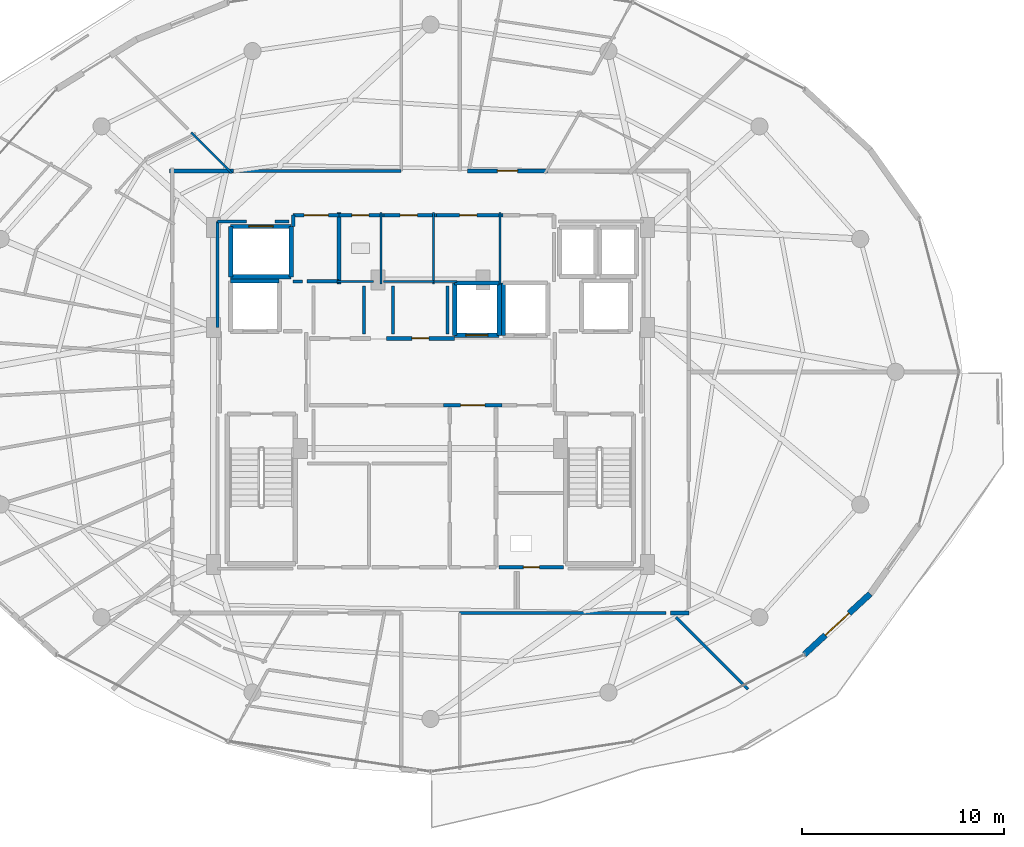
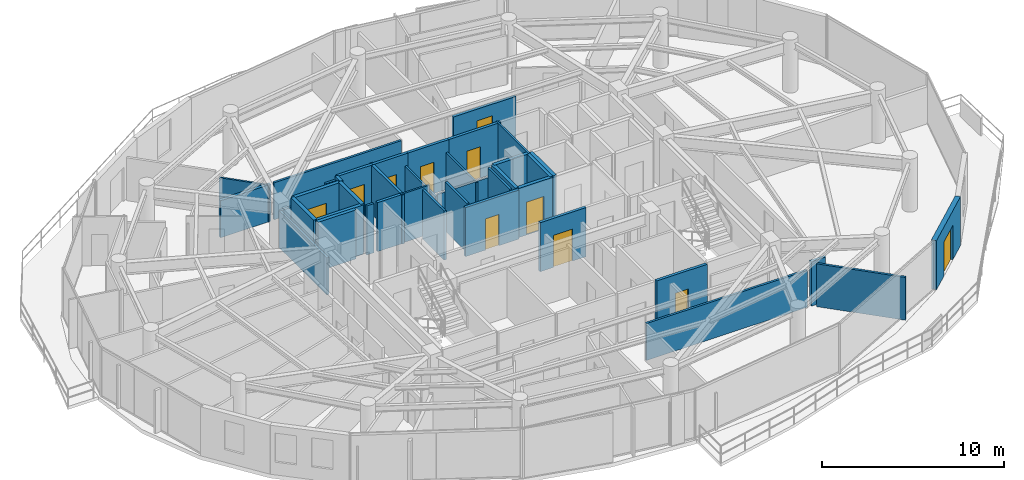
# One storey, part 23 of 29: 41 walls, 11 doors, 11 openings.
"""IFC4 building model written with IfcOpenShell, lengths in metres."""

from ifc_helpers import new_model, si_unit, direction, frame, frame_2d, origin, place, context, subcontext, project, spatial, rectangle, extrude, material, layer, layer_set, type_object, element, fill, save


model = new_model("IFC4")

# Units and contexts
model_context = context("Model", 3, precision=1e-05, world=origin(), true_north=direction((0.0, 1.0)))
body_context = subcontext(model_context, "Body", "Model", "MODEL_VIEW")
ifc_project = project(units=[si_unit("LENGTHUNIT", "METRE"), si_unit("AREAUNIT", "SQUARE_METRE"), si_unit("VOLUMEUNIT", "CUBIC_METRE"), si_unit("PLANEANGLEUNIT", "RADIAN"), si_unit("MASSUNIT", "GRAM", prefix="KILO")], contexts=[model_context])

# Site, building, storey
site_placement = place(None, origin())
site = spatial("IfcSite", under=ifc_project, at=site_placement, CompositionType="ELEMENT")
building_placement = place(site_placement, origin())
building = spatial("IfcBuilding", under=site, at=building_placement, Name="Vorneva Point Tower", CompositionType="ELEMENT")
storey_placement = place(building_placement, frame((0.0, 0.0, 273.300048828125)))
storey = spatial("IfcBuildingStorey", under=building, at=storey_placement, Name="L74", CompositionType="ELEMENT", Elevation=273.300048828125)

# Wall
ifc_material_1 = material(Name="Concrete B60 (C50/60)", Category="concrete")
ifc_layer_1 = layer(ifc_material_1, 0.35009765625)
ifc_layer_set_1 = layer_set([ifc_layer_1], Name="Concrete B60 (C50/60)")
wall_type_1 = type_object("IfcWallType", Name="WL-CORE-350", PredefinedType="SHEAR", material=ifc_layer_set_1)
wall_1_placement = place(storey_placement, frame((30.5, 30.5, 0.0), z_axis=(0.0, 0.0, 1.0), x_axis=(-1.0, 0.0, 0.0)))
element("IfcWall", 1, at=wall_1_placement, inside=storey, type_object=wall_type_1, Name="L74 Lift FFL1 Shaft Wall +Y", PredefinedType="SHEAR", context=body_context, shape_type="SweptSolid", body=[
    extrude(rectangle(XDim=2.39990234375, YDim=0.219970703125, at=frame_2d((1.199951171875, 0.0))), origin(), (0.0, 0.0, 1.0), 3.2900390625),
])

# Wall, opening, door
ifc_material_2 = material(Name="Precast concrete B50 (C40/50)", Category="concrete")
ifc_layer_2 = layer(ifc_material_2, 0.300048828125)
ifc_layer_set_2 = layer_set([ifc_layer_2], Name="Precast concrete B50 (C40/50)")
wall_type_2 = type_object("IfcWallType", Name="WL-EXT-300", PredefinedType="STANDARD", material=ifc_layer_set_2)
wall_2_placement = place(storey_placement, frame((56.526123046875, 11.9921875, 0.0), z_axis=(0.0, 0.0, 1.0), x_axis=(0.735445373611, 0.677584018727, 0.0)))
wall_2 = element("IfcWall", 2, at=wall_2_placement, inside=storey, type_object=wall_type_2, Name="L74 Pale-Metal Facade Spandrel Wall 15.1", PredefinedType="STANDARD", context=body_context, shape_type="SweptSolid", body=[
    extrude(rectangle(XDim=4.430419921875, YDim=0.300048828125, at=frame_2d((2.21533203125, 0.0))), origin(), (0.0, 0.0, 1.0), 3.2900390625),
])
opening_1_placement = place(wall_2_placement, frame((1.415283203125, 0.0, 0.0)))
opening_1 = element("IfcOpeningElement", 3, at=opening_1_placement, cuts=wall_2, Name="Opening BD-01", PredefinedType="OPENING", context=body_context, shape_type="SweptSolid", body=[
    extrude(rectangle(XDim=1.60009765625, YDim=2.300048828125, at=frame_2d((0.800048828125, 1.14990234375))), frame((0.0, 0.1650390625, 0.0), z_axis=(0.0, -1.0, 0.0), x_axis=(1.0, 0.0, 0.0)), (0.0, 0.0, 1.0), 0.329833984375),
])
ifc_material_3 = material(Name="Pale anodised aluminium", Category="aluminium")
door_type_1 = type_object("IfcDoorType", Name="DR-BAL-1600", OperationType="SLIDING_TO_LEFT", PredefinedType="DOOR", material=ifc_material_3)
door_1_placement = place(opening_1_placement, origin())
door_1 = element("IfcDoor", 4, at=door_1_placement, inside=storey, type_object=door_type_1, Name="L74 Balcony Terrace Access Door 15", OperationType="SLIDING_TO_LEFT", OverallHeight=2.300048828125, OverallWidth=1.60009765625, PredefinedType="DOOR", context=body_context, shape_type="SweptSolid", body=[
    extrude(rectangle(XDim=1.60009765625, YDim=2.300048828125, at=frame_2d((0.800048828125, 1.14990234375))), frame((0.0, 0.02490234375, 0.0), z_axis=(0.0, -1.0, 0.0), x_axis=(1.0, 0.0, 0.0)), (0.0, 0.0, 1.0), 0.050048828125),
])
fill(opening_1, door_1)

# Walls
ifc_material_4 = material(Name="Fire-rated acoustic gypsum stud partition", Category="gypsum")
ifc_layer_3 = layer(ifc_material_4, 0.110107421875)
ifc_layer_set_3 = layer_set([ifc_layer_3], Name="Fire-rated acoustic gypsum stud partition")
wall_type_3 = type_object("IfcWallType", Name="WL-PART-110", PredefinedType="PARTITIONING", material=ifc_layer_set_3)
wall_3_placement = place(storey_placement, frame((35.550048828125, 30.340087890625, 0.0), z_axis=(0.0, 0.0, 1.0), x_axis=(0.0, 1.0, 0.0)))
element("IfcWall", 5, at=wall_3_placement, inside=storey, type_object=wall_type_3, Name="L74 Interior Partition 022", PredefinedType="PARTITIONING", context=body_context, shape_type="SweptSolid", body=[
    extrude(rectangle(XDim=3.559814453125, YDim=0.110107421875, at=frame_2d((1.77978515625, 0.0))), origin(), (0.0, 0.0, 1.0), 2.48193359375),
])
wall_4_placement = place(storey_placement, frame((33.360107421875, 30.47998046875, 0.0), z_axis=(0.0, 0.0, 1.0), x_axis=(1.0, 0.0, 0.0)))
element("IfcWall", 6, at=wall_4_placement, inside=storey, type_object=wall_type_3, Name="L74 Interior Partition 023", PredefinedType="PARTITIONING", context=body_context, shape_type="SweptSolid", body=[
    extrude(rectangle(XDim=1.809814453125, YDim=0.110107421875, at=frame_2d((0.90478515625, 0.0))), origin(), (0.0, 0.0, 1.0), 3.2900390625),
])
wall_5_placement = place(storey_placement, frame((38.14990234375, 30.340087890625, 0.0), z_axis=(0.0, 0.0, 1.0), x_axis=(0.0, 1.0, 0.0)))
element("IfcWall", 7, at=wall_5_placement, inside=storey, type_object=wall_type_3, Name="L74 Interior Partition 025", PredefinedType="PARTITIONING", context=body_context, shape_type="SweptSolid", body=[
    extrude(rectangle(XDim=3.559814453125, YDim=0.110107421875, at=frame_2d((1.77978515625, 0.0))), origin(), (0.0, 0.0, 1.0), 2.48193359375),
])
wall_6_placement = place(storey_placement, frame((35.679931640625, 30.47998046875, 0.0), z_axis=(0.0, 0.0, 1.0), x_axis=(1.0, 0.0, 0.0)))
element("IfcWall", 8, at=wall_6_placement, inside=storey, type_object=wall_type_3, Name="L74 Interior Partition 026", PredefinedType="PARTITIONING", context=body_context, shape_type="SweptSolid", body=[
    extrude(rectangle(XDim=2.594970703125, YDim=0.110107421875, at=frame_2d((1.29736328125, 0.0))), origin(), (0.0, 0.0, 1.0), 2.48193359375),
])
wall_7_placement = place(storey_placement, frame((41.449951171875, 30.340087890625, 0.0), z_axis=(0.0, 0.0, 1.0), x_axis=(0.0, 1.0, 0.0)))
element("IfcWall", 9, at=wall_7_placement, inside=storey, type_object=wall_type_3, Name="L74 Interior Partition 028", PredefinedType="PARTITIONING", context=body_context, shape_type="SweptSolid", body=[
    extrude(rectangle(XDim=3.559814453125, YDim=0.110107421875, at=frame_2d((1.77978515625, 0.0))), origin(), (0.0, 0.0, 1.0), 3.2900390625),
])
wall_8_placement = place(storey_placement, frame((38.1650390625, 30.47998046875, 0.0), z_axis=(0.0, 0.0, 1.0), x_axis=(1.0, 0.0, 0.0)))
element("IfcWall", 10, at=wall_8_placement, inside=storey, type_object=wall_type_3, Name="L74 Interior Partition 029", PredefinedType="PARTITIONING", context=body_context, shape_type="SweptSolid", body=[
    extrude(rectangle(XDim=1.155029296875, YDim=0.110107421875, at=frame_2d((0.57763671875, 0.0))), origin(), (0.0, 0.0, 1.0), 2.48193359375),
])
wall_9_placement = place(storey_placement, frame((26.14404296875, 37.85595703125, 0.0), z_axis=(0.0, 0.0, 1.0), x_axis=(0.707106781187, -0.707106781187, 0.0)))
element("IfcWall", 11, at=wall_9_placement, inside=storey, type_object=wall_type_3, Name="L74 Interior Partition 078", PredefinedType="PARTITIONING", context=body_context, shape_type="SweptSolid", body=[
    extrude(rectangle(XDim=2.83544921875, YDim=0.110107421875, at=frame_2d((1.417724609375, 0.0))), origin(), (0.0, 0.0, 1.0), 2.48193359375),
])
ifc_layer_4 = layer(ifc_material_4, 0.139892578125)
ifc_layer_set_4 = layer_set([ifc_layer_4], Name="Fire-rated acoustic gypsum stud partition")
wall_type_4 = type_object("IfcWallType", Name="WL-PART-140", PredefinedType="PARTITIONING", material=ifc_layer_set_4)
wall_10_placement = place(storey_placement, frame((31.199951171875, 30.47998046875, 0.0), z_axis=(0.0, 0.0, 1.0), x_axis=(1.0, 0.0, 0.0)))
element("IfcWall", 12, at=wall_10_placement, inside=storey, type_object=wall_type_4, Name="L74 Interior Closure Partition 111", PredefinedType="PARTITIONING", context=body_context, shape_type="SweptSolid", body=[
    extrude(rectangle(XDim=0.449951171875, YDim=0.139892578125, at=frame_2d((0.22509765625, 0.0))), origin(), (0.0, 0.0, 1.0), 3.2900390625),
])
for number, where, z_axis, x_axis, name in (
    (13, (34.699951171875, 27.8701171875, 0.0), (0.0, 0.0, 1.0), (0.0, 1.0, 0.0), "L74 Interior Closure Partition 114"),
    (14, (36.14990234375, 30.260009765625, 0.0), (0.0, 0.0, 1.0), (0.0, -1.0, 0.0), "L74 Interior Closure Partition 115"),
    (15, (38.85009765625, 27.8701171875, 0.0), (0.0, 0.0, 1.0), (0.0, 1.0, 0.0), "L74 Interior Closure Partition 116"),
):
    element("IfcWall", number, at=place(storey_placement, frame(where, z_axis=z_axis, x_axis=x_axis)), inside=storey, type_object=wall_type_4, Name=name, PredefinedType="PARTITIONING", context=body_context, shape_type="SweptSolid", body=[
        extrude(rectangle(XDim=2.389892578125, YDim=0.139892578125, at=frame_2d((1.19482421875, 0.0))), origin(), (0.0, 0.0, 1.0), 3.2900390625),
    ])
wall_11_placement = place(storey_placement, frame((36.550048828125, 35.949951171875, 0.0), z_axis=(0.0, 0.0, 1.0), x_axis=(-1.0, 0.0, 0.0)))
element("IfcWall", 16, at=wall_11_placement, inside=storey, type_object=wall_type_4, Name="L74 Interior Closure Partition 119", PredefinedType="PARTITIONING", context=body_context, shape_type="SweptSolid", body=[
    extrude(rectangle(XDim=8.080078125, YDim=0.139892578125, at=frame_2d((4.0400390625, 0.0))), origin(), (0.0, 0.0, 1.0), 2.48193359375),
])
wall_12_placement = place(storey_placement, frame((39.449951171875, 14.050048828125, 0.0), z_axis=(0.0, 0.0, 1.0), x_axis=(1.0, 0.0, 0.0)))
element("IfcWall", 17, at=wall_12_placement, inside=storey, type_object=wall_type_4, Name="L74 Interior Closure Partition 121", PredefinedType="PARTITIONING", context=body_context, shape_type="SweptSolid", body=[
    extrude(rectangle(XDim=10.219970703125, YDim=0.139892578125, at=frame_2d((5.10986328125, 0.0))), origin(), (0.0, 0.0, 1.0), 2.48193359375),
])
wall_13_placement = place(storey_placement, frame((30.97998046875, 33.449951171875, 0.0), z_axis=(0.0, 0.0, 1.0), x_axis=(-1.0, 0.0, 0.0)))
element("IfcWall", 18, at=wall_13_placement, inside=storey, type_object=wall_type_4, Name="L74 Interior Closure Partition 126", PredefinedType="PARTITIONING", context=body_context, shape_type="SweptSolid", body=[
    extrude(rectangle(XDim=0.674072265625, YDim=0.139892578125, at=frame_2d((0.3369140625, 0.0))), origin(), (0.0, 0.0, 1.0), 3.2900390625),
])
wall_14_placement = place(storey_placement, frame((28.89404296875, 33.449951171875, 0.0), z_axis=(0.0, 0.0, 1.0), x_axis=(-1.0, 0.0, 0.0)))
element("IfcWall", 19, at=wall_14_placement, inside=storey, type_object=wall_type_4, Name="L74 Interior Closure Partition 127", PredefinedType="PARTITIONING", context=body_context, shape_type="SweptSolid", body=[
    extrude(rectangle(XDim=1.444091796875, YDim=0.139892578125, at=frame_2d((0.72216796875, 0.0))), origin(), (0.0, 0.0, 1.0), 2.48193359375),
])
wall_15_placement = place(storey_placement, frame((27.449951171875, 33.449951171875, 0.0), z_axis=(0.0, 0.0, 1.0), x_axis=(0.0, -1.0, 0.0)))
element("IfcWall", 20, at=wall_15_placement, inside=storey, type_object=wall_type_4, Name="L74 Interior Closure Partition 128", PredefinedType="PARTITIONING", context=body_context, shape_type="SweptSolid", body=[
    extrude(rectangle(XDim=5.25390625, YDim=0.139892578125, at=frame_2d((2.626953125, 0.0))), origin(), (0.0, 0.0, 1.0), 2.48193359375),
])
wall_16_placement = place(storey_placement, frame((50.169921875, 13.830078125, 0.0), z_axis=(0.0, 0.0, 1.0), x_axis=(0.707106781187, -0.707106781187, 0.0)))
element("IfcWall", 21, at=wall_16_placement, inside=storey, type_object=wall_type_4, Name="L74 Interior Closure Partition 134", PredefinedType="PARTITIONING", context=body_context, shape_type="SweptSolid", body=[
    extrude(rectangle(XDim=5.044677734375, YDim=0.139892578125, at=frame_2d((2.5224609375, 0.0))), origin(), (0.0, 0.0, 1.0), 2.8740234375),
])
ifc_material_5 = material(Name="Autoclaved aerated concrete blockwork", Category="masonry")
ifc_layer_5 = layer(ifc_material_5, 0.179931640625)
ifc_layer_set_5 = layer_set([ifc_layer_5], Name="Autoclaved aerated concrete blockwork")
wall_type_5 = type_object("IfcWallType", Name="WL-PART-180", PredefinedType="PARTITIONING", material=ifc_layer_set_5)
wall_17_placement = place(storey_placement, frame((33.469970703125, 30.340087890625, 0.0), z_axis=(0.0, 0.0, 1.0), x_axis=(0.0, 1.0, 0.0)))
element("IfcWall", 22, at=wall_17_placement, inside=storey, type_object=wall_type_5, Name="L74 Interior Partition 006", PredefinedType="PARTITIONING", context=body_context, shape_type="SweptSolid", body=[
    extrude(rectangle(XDim=3.559814453125, YDim=0.179931640625, at=frame_2d((1.77978515625, 0.0))), origin(), (0.0, 0.0, 1.0), 3.2900390625),
])
wall_18_placement = place(storey_placement, frame((31.8701171875, 30.47998046875, 0.0), z_axis=(0.0, 0.0, 1.0), x_axis=(1.0, 0.0, 0.0)))
element("IfcWall", 23, at=wall_18_placement, inside=storey, type_object=wall_type_5, Name="L74 Interior Partition 007", PredefinedType="PARTITIONING", context=body_context, shape_type="SweptSolid", body=[
    extrude(rectangle(XDim=1.599853515625, YDim=0.179931640625, at=frame_2d((0.7998046875, 0.0))), origin(), (0.0, 0.0, 1.0), 3.2900390625),
])

# Wall, opening, door
wall_19_placement = place(storey_placement, frame((33.469970703125, 33.760009765625, 0.0), z_axis=(0.0, 0.0, 1.0), x_axis=(-1.0, 0.0, 0.0)))
wall_19 = element("IfcWall", 24, at=wall_19_placement, inside=storey, type_object=wall_type_5, Name="L74 Interior Partition 008", PredefinedType="PARTITIONING", context=body_context, shape_type="SweptSolid", body=[
    extrude(rectangle(XDim=2.27001953125, YDim=0.179931640625, at=frame_2d((1.135009765625, 0.0))), origin(), (0.0, 0.0, 1.0), 3.2900390625),
])
opening_2_placement = place(wall_19_placement, frame((0.534912109375, 0.0, 0.0)))
opening_2 = element("IfcOpeningElement", 25, at=opening_2_placement, cuts=wall_19, Name="Opening FD-02", PredefinedType="OPENING", context=body_context, shape_type="SweptSolid", body=[
    extrude(rectangle(XDim=1.199951171875, YDim=2.14990234375, at=frame_2d((0.60009765625, 1.074951171875))), frame((0.0, 0.10498046875, 0.0), z_axis=(0.0, -1.0, 0.0), x_axis=(1.0, 0.0, 0.0)), (0.0, 0.0, 1.0), 0.209716796875),
])
ifc_material_6 = material(Name="Fire-rated powder-coated steel", Category="steel")
door_type_2 = type_object("IfcDoorType", Name="DR-FFL-1200", OperationType="NOTDEFINED", PredefinedType="DOOR", material=ifc_material_6)
door_2_placement = place(opening_2_placement, origin())
door_2 = element("IfcDoor", 26, at=door_2_placement, inside=storey, type_object=door_type_2, Name="L74 Door Service Lift Lobby / L74 Circulation Corridor", OperationType="SINGLE_SWING_LEFT", OverallHeight=2.14990234375, OverallWidth=1.199951171875, PredefinedType="DOOR", context=body_context, shape_type="SweptSolid", body=[
    extrude(rectangle(XDim=1.199951171875, YDim=2.14990234375, at=frame_2d((0.60009765625, 1.074951171875))), frame((0.0, 0.02490234375, 0.0), z_axis=(0.0, -1.0, 0.0), x_axis=(1.0, 0.0, 0.0)), (0.0, 0.0, 1.0), 0.050048828125),
])
fill(opening_2, door_2)

# Wall
wall_20_placement = place(storey_placement, frame((31.199951171875, 33.760009765625, 0.0), z_axis=(0.0, 0.0, 1.0), x_axis=(0.0, -1.0, 0.0)))
element("IfcWall", 27, at=wall_20_placement, inside=storey, type_object=wall_type_5, Name="L74 Interior Partition 009", PredefinedType="PARTITIONING", context=body_context, shape_type="SweptSolid", body=[
    extrude(rectangle(XDim=0.56005859375, YDim=0.179931640625, at=frame_2d((0.280029296875, 0.0))), origin(), (0.0, 0.0, 1.0), 3.2900390625),
])

# Wall, opening, door
wall_21_placement = place(storey_placement, frame((38.64501953125, 24.35009765625, 0.0), z_axis=(0.0, 0.0, 1.0), x_axis=(1.0, 0.0, 0.0)))
wall_21 = element("IfcWall", 28, at=wall_21_placement, inside=storey, type_object=wall_type_5, Name="L74 Interior Partition 010", PredefinedType="PARTITIONING", context=body_context, shape_type="SweptSolid", body=[
    extrude(rectangle(XDim=2.909912109375, YDim=0.179931640625, at=frame_2d((1.455078125, 0.0))), origin(), (0.0, 0.0, 1.0), 3.2900390625),
])
opening_3_placement = place(wall_21_placement, frame((0.85498046875, 0.0, 0.0)))
opening_3 = element("IfcOpeningElement", 29, at=opening_3_placement, cuts=wall_21, Name="Opening FD-02", PredefinedType="OPENING", context=body_context, shape_type="SweptSolid", body=[
    extrude(rectangle(XDim=1.199951171875, YDim=2.14990234375, at=frame_2d((0.60009765625, 1.074951171875))), frame((0.0, 0.10498046875, 0.0), z_axis=(0.0, -1.0, 0.0), x_axis=(1.0, 0.0, 0.0)), (0.0, 0.0, 1.0), 0.209716796875),
])
door_3_placement = place(opening_3_placement, origin())
door_3 = element("IfcDoor", 30, at=door_3_placement, inside=storey, type_object=door_type_2, Name="L74 Door Central Lift Lobby / Core Service Lobby", OperationType="SINGLE_SWING_RIGHT", OverallHeight=2.14990234375, OverallWidth=1.199951171875, PredefinedType="DOOR", context=body_context, shape_type="SweptSolid", body=[
    extrude(rectangle(XDim=1.199951171875, YDim=2.14990234375, at=frame_2d((0.60009765625, 1.074951171875))), frame((0.0, 0.02490234375, 0.0), z_axis=(0.0, -1.0, 0.0), x_axis=(1.0, 0.0, 0.0)), (0.0, 0.0, 1.0), 0.050048828125),
])
fill(opening_3, door_3)

wall_22_placement = place(storey_placement, frame((39.18994140625, 27.64990234375, 0.0), z_axis=(0.0, 0.0, 1.0), x_axis=(-1.0, 0.0, 0.0)))
wall_22 = element("IfcWall", 31, at=wall_22_placement, inside=storey, type_object=wall_type_5, Name="L74 Interior Partition 013", PredefinedType="PARTITIONING", context=body_context, shape_type="SweptSolid", body=[
    extrude(rectangle(XDim=3.3798828125, YDim=0.179931640625, at=frame_2d((1.68994140625, 0.0))), origin(), (0.0, 0.0, 1.0), 3.2900390625),
])
opening_4_placement = place(wall_22_placement, frame((1.264892578125, 0.0, 0.0)))
opening_4 = element("IfcOpeningElement", 32, at=opening_4_placement, cuts=wall_22, Name="Opening ID-02", PredefinedType="OPENING", context=body_context, shape_type="SweptSolid", body=[
    extrude(rectangle(XDim=0.85009765625, YDim=2.10009765625, at=frame_2d((0.425048828125, 1.050048828125))), frame((0.0, 0.10498046875, 0.0), z_axis=(0.0, -1.0, 0.0), x_axis=(1.0, 0.0, 0.0)), (0.0, 0.0, 1.0), 0.209716796875),
])
ifc_material_7 = material(Name="Engineered oak fire-rated door leaf", Category="wood")
door_type_3 = type_object("IfcDoorType", Name="DR-BATH-850", OperationType="NOTDEFINED", PredefinedType="DOOR", material=ifc_material_7)
door_4_placement = place(opening_4_placement, origin())
door_4 = element("IfcDoor", 33, at=door_4_placement, inside=storey, type_object=door_type_3, Name="L74 Door Central Lift Lobby / Reclaimed Core Archive Store", OperationType="SINGLE_SWING_LEFT", OverallHeight=2.10009765625, OverallWidth=0.85009765625, PredefinedType="DOOR", context=body_context, shape_type="SweptSolid", body=[
    extrude(rectangle(XDim=0.85009765625, YDim=2.10009765625, at=frame_2d((0.425048828125, 1.050048828125))), frame((0.0, 0.02490234375, 0.0), z_axis=(0.0, -1.0, 0.0), x_axis=(1.0, 0.0, 0.0)), (0.0, 0.0, 1.0), 0.050048828125),
])
fill(opening_4, door_4)

wall_23_placement = place(storey_placement, frame((41.39990234375, 16.320068359375, 0.0), z_axis=(0.0, 0.0, 1.0), x_axis=(1.0, 0.0, 0.0)))
wall_23 = element("IfcWall", 34, at=wall_23_placement, inside=storey, type_object=wall_type_5, Name="L74 Interior Partition 021", PredefinedType="PARTITIONING", context=body_context, shape_type="SweptSolid", body=[
    extrude(rectangle(XDim=3.2001953125, YDim=0.179931640625, at=frame_2d((1.60009765625, 0.0))), origin(), (0.0, 0.0, 1.0), 3.2900390625),
])
opening_5_placement = place(wall_23_placement, frame((1.199951171875, 0.0, 0.0)))
opening_5 = element("IfcOpeningElement", 35, at=opening_5_placement, cuts=wall_23, Name="Opening RD-01", PredefinedType="OPENING", context=body_context, shape_type="SweptSolid", body=[
    extrude(rectangle(XDim=0.800048828125, YDim=2.050048828125, at=frame_2d((0.39990234375, 1.02490234375))), frame((0.0, 0.10498046875, 0.0), z_axis=(0.0, -1.0, 0.0), x_axis=(1.0, 0.0, 0.0)), (0.0, 0.0, 1.0), 0.209716796875),
])
door_type_4 = type_object("IfcDoorType", Name="DR-RSR-800", OperationType="SINGLE_SWING_LEFT", PredefinedType="DOOR", material=ifc_material_6)
door_5_placement = place(opening_5_placement, origin())
door_5 = element("IfcDoor", 36, at=door_5_placement, inside=storey, type_object=door_type_4, Name="L74 Door Electrical Riser / L74 Circulation Corridor", OperationType="SINGLE_SWING_RIGHT", OverallHeight=2.050048828125, OverallWidth=0.800048828125, PredefinedType="DOOR", context=body_context, shape_type="SweptSolid", body=[
    extrude(rectangle(XDim=0.800048828125, YDim=2.050048828125, at=frame_2d((0.39990234375, 1.02490234375))), frame((0.0, 0.02490234375, 0.0), z_axis=(0.0, -1.0, 0.0), x_axis=(1.0, 0.0, 0.0)), (0.0, 0.0, 1.0), 0.050048828125),
])
fill(opening_5, door_5)

wall_24_placement = place(storey_placement, frame((35.68994140625, 33.760009765625, 0.0), z_axis=(0.0, 0.0, 1.0), x_axis=(-1.0, 0.0, 0.0)))
wall_24 = element("IfcWall", 37, at=wall_24_placement, inside=storey, type_object=wall_type_5, Name="L74 Interior Partition 024", PredefinedType="PARTITIONING", context=body_context, shape_type="SweptSolid", body=[
    extrude(rectangle(XDim=2.329833984375, YDim=0.179931640625, at=frame_2d((1.1650390625, 0.0))), origin(), (0.0, 0.0, 1.0), 3.2900390625),
])
opening_6_placement = place(wall_24_placement, frame((0.739990234375, 0.0, 0.0)))
opening_6 = element("IfcOpeningElement", 38, at=opening_6_placement, cuts=wall_24, Name="Opening ID-02", PredefinedType="OPENING", context=body_context, shape_type="SweptSolid", body=[
    extrude(rectangle(XDim=0.85009765625, YDim=2.10009765625, at=frame_2d((0.425048828125, 1.050048828125))), frame((0.0, 0.10498046875, 0.0), z_axis=(0.0, -1.0, 0.0), x_axis=(1.0, 0.0, 0.0)), (0.0, 0.0, 1.0), 0.209716796875),
])
door_6_placement = place(opening_6_placement, origin())
door_6 = element("IfcDoor", 39, at=door_6_placement, inside=storey, type_object=door_type_3, Name="L74 Door Accessible WC / L74 Circulation Corridor", OperationType="SINGLE_SWING_LEFT", OverallHeight=2.10009765625, OverallWidth=0.85009765625, PredefinedType="DOOR", context=body_context, shape_type="SweptSolid", body=[
    extrude(rectangle(XDim=0.85009765625, YDim=2.10009765625, at=frame_2d((0.425048828125, 1.050048828125))), frame((0.0, 0.02490234375, 0.0), z_axis=(0.0, -1.0, 0.0), x_axis=(1.0, 0.0, 0.0)), (0.0, 0.0, 1.0), 0.050048828125),
])
fill(opening_6, door_6)

wall_25_placement = place(storey_placement, frame((38.2900390625, 33.760009765625, 0.0), z_axis=(0.0, 0.0, 1.0), x_axis=(-1.0, 0.0, 0.0)))
wall_25 = element("IfcWall", 40, at=wall_25_placement, inside=storey, type_object=wall_type_5, Name="L74 Interior Partition 027", PredefinedType="PARTITIONING", context=body_context, shape_type="SweptSolid", body=[
    extrude(rectangle(XDim=2.739990234375, YDim=0.179931640625, at=frame_2d((1.3701171875, 0.0))), origin(), (0.0, 0.0, 1.0), 3.2900390625),
])
opening_7_placement = place(wall_25_placement, frame((0.945068359375, 0.0, 0.0)))
opening_7 = element("IfcOpeningElement", 41, at=opening_7_placement, cuts=wall_25, Name="Opening ID-02", PredefinedType="OPENING", context=body_context, shape_type="SweptSolid", body=[
    extrude(rectangle(XDim=0.85009765625, YDim=2.10009765625, at=frame_2d((0.425048828125, 1.050048828125))), frame((0.0, 0.10498046875, 0.0), z_axis=(0.0, -1.0, 0.0), x_axis=(1.0, 0.0, 0.0)), (0.0, 0.0, 1.0), 0.209716796875),
])
door_7_placement = place(opening_7_placement, origin())
door_7 = element("IfcDoor", 42, at=door_7_placement, inside=storey, type_object=door_type_3, Name="L74 Door Public Male WC / L74 Circulation Corridor", OperationType="SINGLE_SWING_RIGHT", OverallHeight=2.10009765625, OverallWidth=0.85009765625, PredefinedType="DOOR", context=body_context, shape_type="SweptSolid", body=[
    extrude(rectangle(XDim=0.85009765625, YDim=2.10009765625, at=frame_2d((0.425048828125, 1.050048828125))), frame((0.0, 0.02490234375, 0.0), z_axis=(0.0, -1.0, 0.0), x_axis=(1.0, 0.0, 0.0)), (0.0, 0.0, 1.0), 0.050048828125),
])
fill(opening_7, door_7)

wall_26_placement = place(storey_placement, frame((41.590087890625, 33.760009765625, 0.0), z_axis=(0.0, 0.0, 1.0), x_axis=(-1.0, 0.0, 0.0)))
wall_26 = element("IfcWall", 43, at=wall_26_placement, inside=storey, type_object=wall_type_5, Name="L74 Interior Partition 030", PredefinedType="PARTITIONING", context=body_context, shape_type="SweptSolid", body=[
    extrude(rectangle(XDim=3.440185546875, YDim=0.179931640625, at=frame_2d((1.72021484375, 0.0))), origin(), (0.0, 0.0, 1.0), 3.2900390625),
])
opening_8_placement = place(wall_26_placement, frame((1.294921875, 0.0, 0.0)))
opening_8 = element("IfcOpeningElement", 44, at=opening_8_placement, cuts=wall_26, Name="Opening ID-02", PredefinedType="OPENING", context=body_context, shape_type="SweptSolid", body=[
    extrude(rectangle(XDim=0.85009765625, YDim=2.10009765625, at=frame_2d((0.425048828125, 1.050048828125))), frame((0.0, 0.10498046875, 0.0), z_axis=(0.0, -1.0, 0.0), x_axis=(1.0, 0.0, 0.0)), (0.0, 0.0, 1.0), 0.209716796875),
])
door_8_placement = place(opening_8_placement, origin())
door_8 = element("IfcDoor", 45, at=door_8_placement, inside=storey, type_object=door_type_3, Name="L74 Door Public Female WC / L74 Circulation Corridor", OperationType="SINGLE_SWING_LEFT", OverallHeight=2.10009765625, OverallWidth=0.85009765625, PredefinedType="DOOR", context=body_context, shape_type="SweptSolid", body=[
    extrude(rectangle(XDim=0.85009765625, YDim=2.10009765625, at=frame_2d((0.425048828125, 1.050048828125))), frame((0.0, 0.02490234375, 0.0), z_axis=(0.0, -1.0, 0.0), x_axis=(1.0, 0.0, 0.0)), (0.0, 0.0, 1.0), 0.050048828125),
])
fill(opening_8, door_8)

wall_27_placement = place(storey_placement, frame((43.802978515625, 35.949951171875, 0.0), z_axis=(0.0, 0.0, 1.0), x_axis=(-1.0, 0.0, 0.0)))
wall_27 = element("IfcWall", 46, at=wall_27_placement, inside=storey, type_object=wall_type_5, Name="L74 Interior Partition 038", PredefinedType="PARTITIONING", context=body_context, shape_type="SweptSolid", body=[
    extrude(rectangle(XDim=3.965087890625, YDim=0.179931640625, at=frame_2d((1.982421875, 0.0))), origin(), (0.0, 0.0, 1.0), 2.924072265625),
])
opening_9_placement = place(wall_27_placement, frame((1.482421875, 0.0, 0.0)))
opening_9 = element("IfcOpeningElement", 47, at=opening_9_placement, cuts=wall_27, Name="Opening UD-01", PredefinedType="OPENING", context=body_context, shape_type="SweptSolid", body=[
    extrude(rectangle(XDim=1.0, YDim=2.14990234375, at=frame_2d((0.5, 1.074951171875))), frame((0.0, 0.10498046875, 0.0), z_axis=(0.0, -1.0, 0.0), x_axis=(1.0, 0.0, 0.0)), (0.0, 0.0, 1.0), 0.209716796875),
])
door_type_5 = type_object("IfcDoorType", Name="DR-UNIT-1000", OperationType="NOTDEFINED", PredefinedType="DOOR", material=ifc_material_7)
door_9_placement = place(opening_9_placement, origin())
door_9 = element("IfcDoor", 48, at=door_9_placement, inside=storey, type_object=door_type_5, Name="L74 Door L74 Circulation Corridor / Living and Dining Room L74-01", OperationType="SINGLE_SWING_LEFT", OverallHeight=2.14990234375, OverallWidth=1.0, PredefinedType="DOOR", context=body_context, shape_type="SweptSolid", body=[
    extrude(rectangle(XDim=1.0, YDim=2.14990234375, at=frame_2d((0.5, 1.074951171875))), frame((0.0, 0.02490234375, 0.0), z_axis=(0.0, -1.0, 0.0), x_axis=(1.0, 0.0, 0.0)), (0.0, 0.0, 1.0), 0.050048828125),
])
fill(opening_9, door_9)

# Walls
wall_28_placement = place(storey_placement, frame((28.25, 35.949951171875, 0.0), z_axis=(0.0, 0.0, 1.0), x_axis=(-1.0, 0.0, 0.0)))
element("IfcWall", 49, at=wall_28_placement, inside=storey, type_object=wall_type_5, Name="L74 Interior Partition 043", PredefinedType="PARTITIONING", context=body_context, shape_type="SweptSolid", body=[
    extrude(rectangle(XDim=3.18994140625, YDim=0.179931640625, at=frame_2d((1.594970703125, 0.0))), origin(), (0.0, 0.0, 1.0), 2.48193359375),
])
wall_29_placement = place(storey_placement, frame((49.889892578125, 14.050048828125, 0.0), z_axis=(0.0, 0.0, 1.0), x_axis=(1.0, 0.0, 0.0)))
element("IfcWall", 50, at=wall_29_placement, inside=storey, type_object=wall_type_5, Name="L74 Interior Partition 059", PredefinedType="PARTITIONING", context=body_context, shape_type="SweptSolid", body=[
    extrude(rectangle(XDim=0.91015625, YDim=0.179931640625, at=frame_2d((0.455078125, 0.0))), origin(), (0.0, 0.0, 1.0), 2.97900390625),
])

# Wall, opening, door
ifc_material_8 = material(Name="Concrete B50 (C40/50)", Category="concrete")
ifc_layer_6 = layer(ifc_material_8, 0.219970703125)
ifc_layer_set_6 = layer_set([ifc_layer_6], Name="Concrete B50 (C40/50)")
wall_type_6 = type_object("IfcWallType", Name="WL-SHFT-220", PredefinedType="SOLIDWALL", material=ifc_layer_set_6)
wall_30_placement = place(storey_placement, frame((39.199951171875, 27.800048828125, 0.0), z_axis=(0.0, 0.0, 1.0), x_axis=(1.0, 0.0, 0.0)))
wall_30 = element("IfcWall", 51, at=wall_30_placement, inside=storey, type_object=wall_type_6, Name="L74 Lift PL7 Shaft Wall -Y", PredefinedType="SOLIDWALL", context=body_context, shape_type="SweptSolid", body=[
    extrude(rectangle(XDim=2.199951171875, YDim=0.219970703125, at=frame_2d((1.10009765625, 0.0))), origin(), (0.0, 0.0, 1.0), 3.2900390625),
])
opening_10_placement = place(wall_30_placement, frame((0.550048828125, 0.0, 0.0)))
opening_10 = element("IfcOpeningElement", 52, at=opening_10_placement, cuts=wall_30, Name="Opening LD-01", PredefinedType="OPENING", context=body_context, shape_type="SweptSolid", body=[
    extrude(rectangle(XDim=1.10009765625, YDim=2.199951171875, at=frame_2d((0.550048828125, 1.10009765625))), frame((0.0, 0.125, 0.0), z_axis=(0.0, -1.0, 0.0), x_axis=(1.0, 0.0, 0.0)), (0.0, 0.0, 1.0), 0.249755859375),
])
ifc_material_9 = material(Name="Brushed stainless steel S304", Category="steel")
door_type_6 = type_object("IfcDoorType", Name="LD-PASS-1100", OperationType="SLIDING_TO_LEFT", PredefinedType="DOOR", material=ifc_material_9)
door_10_placement = place(opening_10_placement, origin())
door_10 = element("IfcDoor", 53, at=door_10_placement, inside=storey, type_object=door_type_6, Name="L74 Lift PL7 Sliding Landing Door", OperationType="SLIDING_TO_LEFT", OverallHeight=2.199951171875, OverallWidth=1.10009765625, PredefinedType="DOOR", context=body_context, shape_type="SweptSolid", body=[
    extrude(rectangle(XDim=1.10009765625, YDim=2.199951171875, at=frame_2d((0.550048828125, 1.10009765625))), frame((0.0, 0.02490234375, 0.0), z_axis=(0.0, -1.0, 0.0), x_axis=(1.0, 0.0, 0.0)), (0.0, 0.0, 1.0), 0.050048828125),
])
fill(opening_10, door_10)

# Walls
wall_31_placement = place(storey_placement, frame((41.39990234375, 27.800048828125, 0.0), z_axis=(0.0, 0.0, 1.0), x_axis=(0.0, 1.0, 0.0)))
element("IfcWall", 54, at=wall_31_placement, inside=storey, type_object=wall_type_6, Name="L74 Lift PL7 Shaft Wall +X", PredefinedType="SOLIDWALL", context=body_context, shape_type="SweptSolid", body=[
    extrude(rectangle(XDim=2.599853515625, YDim=0.219970703125, at=frame_2d((1.2998046875, 0.0))), origin(), (0.0, 0.0, 1.0), 3.2900390625),
])
wall_32_placement = place(storey_placement, frame((41.39990234375, 30.39990234375, 0.0), z_axis=(0.0, 0.0, 1.0), x_axis=(-1.0, 0.0, 0.0)))
element("IfcWall", 55, at=wall_32_placement, inside=storey, type_object=wall_type_6, Name="L74 Lift PL7 Shaft Wall +Y", PredefinedType="SOLIDWALL", context=body_context, shape_type="SweptSolid", body=[
    extrude(rectangle(XDim=2.199951171875, YDim=0.219970703125, at=frame_2d((1.10009765625, 0.0))), origin(), (0.0, 0.0, 1.0), 3.2900390625),
])
for number, where, z_axis, x_axis, name in (
    (56, (39.199951171875, 30.39990234375, 0.0), (0.0, 0.0, 1.0), (0.0, -1.0, 0.0), "L74 Lift PL7 Shaft Wall -X"),
    (57, (41.60009765625, 30.39990234375, 0.0), (0.0, 0.0, 1.0), (0.0, -1.0, 0.0), "L74 Lift PL8 Shaft Wall -X"),
):
    element("IfcWall", number, at=place(storey_placement, frame(where, z_axis=z_axis, x_axis=x_axis)), inside=storey, type_object=wall_type_6, Name=name, PredefinedType="SOLIDWALL", context=body_context, shape_type="SweptSolid", body=[
        extrude(rectangle(XDim=2.599853515625, YDim=0.219970703125, at=frame_2d((1.2998046875, 0.0))), origin(), (0.0, 0.0, 1.0), 3.2900390625),
    ])
wall_33_placement = place(storey_placement, frame((28.10009765625, 30.699951171875, 0.0), z_axis=(0.0, 0.0, 1.0), x_axis=(1.0, 0.0, 0.0)))
element("IfcWall", 58, at=wall_33_placement, inside=storey, type_object=wall_type_6, Name="L74 Lift SVL1 Shaft Wall -Y", PredefinedType="SOLIDWALL", context=body_context, shape_type="SweptSolid", body=[
    extrude(rectangle(XDim=3.0, YDim=0.219970703125, at=frame_2d((1.5, 0.0))), origin(), (0.0, 0.0, 1.0), 3.2900390625),
])
wall_34_placement = place(storey_placement, frame((31.10009765625, 30.699951171875, 0.0), z_axis=(0.0, 0.0, 1.0), x_axis=(0.0, 1.0, 0.0)))
element("IfcWall", 59, at=wall_34_placement, inside=storey, type_object=wall_type_6, Name="L74 Lift SVL1 Shaft Wall +X", PredefinedType="SOLIDWALL", context=body_context, shape_type="SweptSolid", body=[
    extrude(rectangle(XDim=2.5, YDim=0.219970703125, at=frame_2d((1.25, 0.0))), origin(), (0.0, 0.0, 1.0), 3.2900390625),
])

# Wall, opening, door
wall_35_placement = place(storey_placement, frame((31.10009765625, 33.199951171875, 0.0), z_axis=(0.0, 0.0, 1.0), x_axis=(-1.0, 0.0, 0.0)))
wall_35 = element("IfcWall", 60, at=wall_35_placement, inside=storey, type_object=wall_type_6, Name="L74 Lift SVL1 Shaft Wall +Y", PredefinedType="SOLIDWALL", context=body_context, shape_type="SweptSolid", body=[
    extrude(rectangle(XDim=3.0, YDim=0.219970703125, at=frame_2d((1.5, 0.0))), origin(), (0.0, 0.0, 1.0), 3.2900390625),
])
opening_11_placement = place(wall_35_placement, frame((0.89990234375, 0.0, 0.0)))
opening_11 = element("IfcOpeningElement", 61, at=opening_11_placement, cuts=wall_35, Name="Opening LD-02", PredefinedType="OPENING", context=body_context, shape_type="SweptSolid", body=[
    extrude(rectangle(XDim=1.199951171875, YDim=2.199951171875, at=frame_2d((0.60009765625, 1.10009765625))), frame((0.0, 0.125, 0.0), z_axis=(0.0, -1.0, 0.0), x_axis=(1.0, 0.0, 0.0)), (0.0, 0.0, 1.0), 0.249755859375),
])
door_type_7 = type_object("IfcDoorType", Name="LD-FIRE-1200", OperationType="SLIDING_TO_LEFT", PredefinedType="DOOR", material=ifc_material_9)
door_11_placement = place(opening_11_placement, origin())
door_11 = element("IfcDoor", 62, at=door_11_placement, inside=storey, type_object=door_type_7, Name="L74 Lift SVL1 Sliding Landing Door", OperationType="SLIDING_TO_LEFT", OverallHeight=2.199951171875, OverallWidth=1.199951171875, PredefinedType="DOOR", context=body_context, shape_type="SweptSolid", body=[
    extrude(rectangle(XDim=1.199951171875, YDim=2.199951171875, at=frame_2d((0.60009765625, 1.10009765625))), frame((0.0, 0.02490234375, 0.0), z_axis=(0.0, -1.0, 0.0), x_axis=(1.0, 0.0, 0.0)), (0.0, 0.0, 1.0), 0.050048828125),
])
fill(opening_11, door_11)

# Wall
wall_36_placement = place(storey_placement, frame((28.10009765625, 33.199951171875, 0.0), z_axis=(0.0, 0.0, 1.0), x_axis=(0.0, -1.0, 0.0)))
element("IfcWall", 63, at=wall_36_placement, inside=storey, type_object=wall_type_6, Name="L74 Lift SVL1 Shaft Wall -X", PredefinedType="SOLIDWALL", context=body_context, shape_type="SweptSolid", body=[
    extrude(rectangle(XDim=2.5, YDim=0.219970703125, at=frame_2d((1.25, 0.0))), origin(), (0.0, 0.0, 1.0), 3.2900390625),
])

save(model, "model.ifc")
